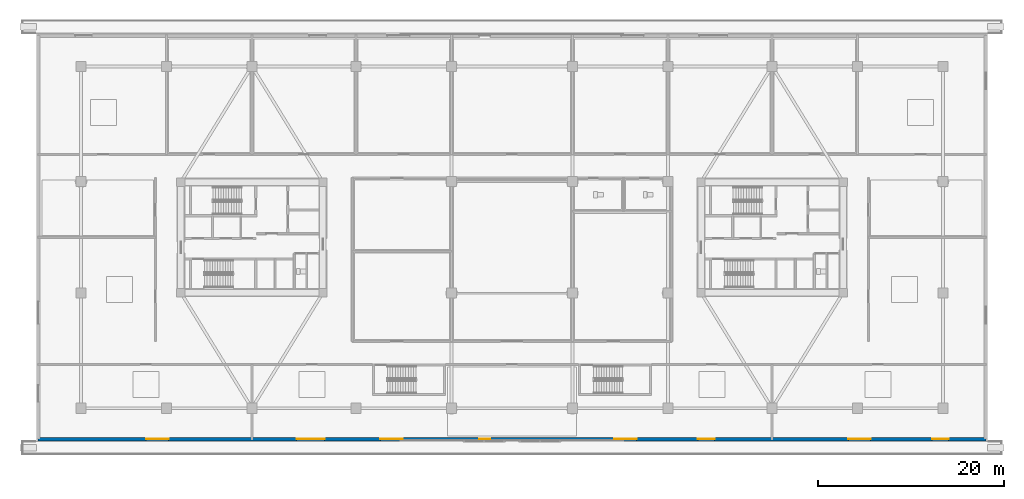
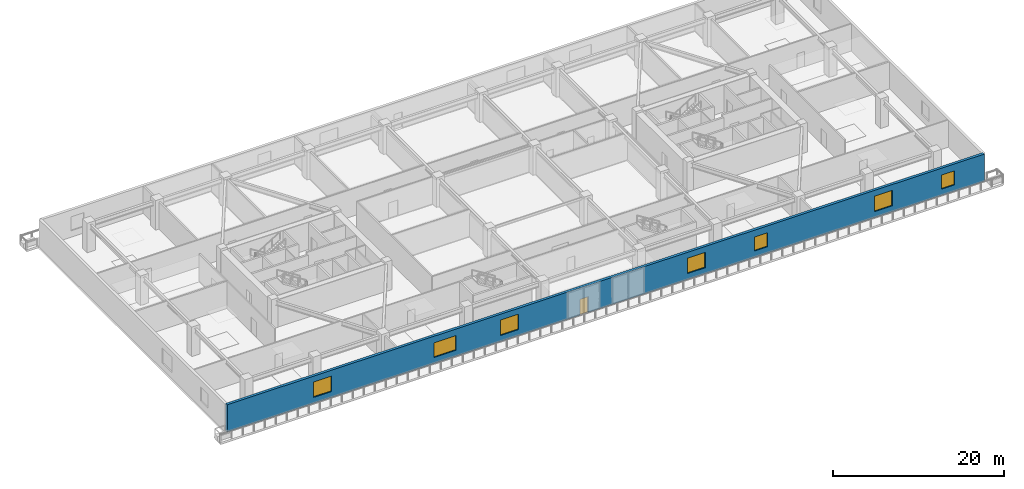
# One storey, part 6 of 23: 7 windows, 1 door, 1 wall, 8 openings.
"""IFC4 building model written with IfcOpenShell, lengths in metres."""

from ifc_helpers import new_model, si_unit, direction, frame, frame_2d, origin, place, context, subcontext, project, spatial, rectangle, extrude, source, transform, mapped, material, layer, layer_set, type_object, type_shapes, element, fill, save


model = new_model("IFC4")

# Units and contexts
model_context = context("Model", 3, precision=1e-05, world=origin(), true_north=direction((0.0, 1.0)))
body_context = subcontext(model_context, "Body", "Model", "MODEL_VIEW")
ifc_project = project(units=[si_unit("LENGTHUNIT", "METRE"), si_unit("AREAUNIT", "SQUARE_METRE"), si_unit("VOLUMEUNIT", "CUBIC_METRE"), si_unit("PLANEANGLEUNIT", "RADIAN"), si_unit("MASSUNIT", "GRAM", prefix="KILO")], contexts=[model_context])

# Site, building, storey
site_placement = place(None, origin())
site = spatial("IfcSite", under=ifc_project, at=site_placement, CompositionType="ELEMENT")
building_placement = place(site_placement, origin())
building = spatial("IfcBuilding", under=site, at=building_placement, Name="Norrkilde Senior Care Towers", CompositionType="ELEMENT")
storey_placement = place(building_placement, frame((0.0, 0.0, 8.39990234375)))
storey = spatial("IfcBuildingStorey", under=building, at=storey_placement, Name="L02", CompositionType="ELEMENT", Elevation=8.39990234375)

# Wall, openings, windows, door
ifc_material_1 = material(Name="Precast concrete C45/55", Category="concrete")
ifc_layer = layer(ifc_material_1, 0.360107421875)
ifc_layer_set = layer_set([ifc_layer], Name="Precast concrete C45/55")
wall_type = type_object("IfcWallType", Name="Podium Facade Wall 360", PredefinedType="SOLIDWALL", material=ifc_layer_set)
shared_shape_1 = source(origin(), body_context, "Body", "SweptSolid", [
    extrude(rectangle(XDim=102.0400390625, YDim=0.360107421875, at=frame_2d((51.02001953125, 0.0))), origin(), (0.0, 0.0, 1.0), 3.880126953125),
])
type_shapes(wall_type, [shared_shape_1])
wall_placement = place(storey_placement, frame((51.02001953125, -21.719970703125, 0.0), z_axis=(0.0, 0.0, 1.0), x_axis=(-1.0, 0.0, 0.0)))
wall = element("IfcWall", 1, at=wall_placement, inside=storey, type_object=wall_type, Name="L02 Podium S Facade Wall", PredefinedType="SOLIDWALL", context=body_context, shape_type="MappedRepresentation", body=[
    mapped(shared_shape_1, transform((0.0, 0.0, 0.0), x_axis=(1.0, 0.0, 0.0), y_axis=(0.0, 1.0, 0.0), z_axis=(0.0, 0.0, 1.0), scale=1.0)),
])
opening_1_placement = place(wall_placement, frame((53.3701171875, 0.0, 0.0)))
opening_1 = element("IfcOpeningElement", 2, at=opening_1_placement, cuts=wall, Name="Opening D-09", PredefinedType="OPENING", context=body_context, shape_type="SweptSolid", body=[
    extrude(rectangle(XDim=1.14990234375, YDim=2.25, at=frame_2d((0.574951171875, 1.125))), frame((0.0, 0.18994140625, 0.0), z_axis=(0.0, -1.0, 0.0), x_axis=(1.0, 0.0, 0.0)), (0.0, 0.0, 1.0), 0.380126953125),
])
opening_2_placement = place(wall_placement, frame((4.0, 0.0, 0.89990234375)))
opening_2 = element("IfcOpeningElement", 3, at=opening_2_placement, cuts=wall, Name="Opening WN-03", PredefinedType="OPENING", context=body_context, shape_type="SweptSolid", body=[
    extrude(rectangle(XDim=1.800048828125, YDim=2.0, at=frame_2d((0.89990234375, 1.0))), frame((0.0, 0.18994140625, 0.0), z_axis=(0.0, -1.0, 0.0), x_axis=(1.0, 0.0, 0.0)), (0.0, 0.0, 1.0), 0.380126953125),
])
opening_3_placement = place(wall_placement, frame((12.39990234375, 0.0, 0.85009765625)))
opening_3 = element("IfcOpeningElement", 4, at=opening_3_placement, cuts=wall, Name="Opening WN-01", PredefinedType="OPENING", context=body_context, shape_type="SweptSolid", body=[
    extrude(rectangle(XDim=2.39990234375, YDim=2.199951171875, at=frame_2d((1.199951171875, 1.10009765625))), frame((0.0, 0.18994140625, 0.0), z_axis=(0.0, -1.0, 0.0), x_axis=(1.0, 0.0, 0.0)), (0.0, 0.0, 1.0), 0.380126953125),
])
opening_4_placement = place(wall_placement, frame((29.199951171875, 0.0, 0.89990234375)))
opening_4 = element("IfcOpeningElement", 5, at=opening_4_placement, cuts=wall, Name="Opening WN-03", PredefinedType="OPENING", context=body_context, shape_type="SweptSolid", body=[
    extrude(rectangle(XDim=1.800048828125, YDim=2.0, at=frame_2d((0.89990234375, 1.0))), frame((0.0, 0.18994140625, 0.0), z_axis=(0.0, -1.0, 0.0), x_axis=(1.0, 0.0, 0.0)), (0.0, 0.0, 1.0), 0.380126953125),
])
opening_5_placement = place(wall_placement, frame((37.60009765625, 0.0, 0.85009765625)))
opening_5 = element("IfcOpeningElement", 6, at=opening_5_placement, cuts=wall, Name="Opening WN-01", PredefinedType="OPENING", context=body_context, shape_type="SweptSolid", body=[
    extrude(rectangle(XDim=2.39990234375, YDim=2.199951171875, at=frame_2d((1.199951171875, 1.10009765625))), frame((0.0, 0.18994140625, 0.0), z_axis=(0.0, -1.0, 0.0), x_axis=(1.0, 0.0, 0.0)), (0.0, 0.0, 1.0), 0.380126953125),
])
opening_6_placement = place(wall_placement, frame((62.800048828125, 0.0, 0.85009765625)))
opening_6 = element("IfcOpeningElement", 7, at=opening_6_placement, cuts=wall, Name="Opening WN-01", PredefinedType="OPENING", context=body_context, shape_type="SweptSolid", body=[
    extrude(rectangle(XDim=2.39990234375, YDim=2.199951171875, at=frame_2d((1.199951171875, 1.10009765625))), frame((0.0, 0.18994140625, 0.0), z_axis=(0.0, -1.0, 0.0), x_axis=(1.0, 0.0, 0.0)), (0.0, 0.0, 1.0), 0.380126953125),
])
opening_7_placement = place(wall_placement, frame((71.199951171875, 0.0, 0.85009765625)))
opening_7 = element("IfcOpeningElement", 8, at=opening_7_placement, cuts=wall, Name="Opening WN-02", PredefinedType="OPENING", context=body_context, shape_type="SweptSolid", body=[
    extrude(rectangle(XDim=3.0, YDim=2.10009765625, at=frame_2d((1.5, 1.050048828125))), frame((0.0, 0.18994140625, 0.0), z_axis=(0.0, -1.0, 0.0), x_axis=(1.0, 0.0, 0.0)), (0.0, 0.0, 1.0), 0.380126953125),
])
opening_8_placement = place(wall_placement, frame((88.0, 0.0, 0.85009765625)))
opening_8 = element("IfcOpeningElement", 9, at=opening_8_placement, cuts=wall, Name="Opening WN-01", PredefinedType="OPENING", context=body_context, shape_type="SweptSolid", body=[
    extrude(rectangle(XDim=2.39990234375, YDim=2.199951171875, at=frame_2d((1.199951171875, 1.10009765625))), frame((0.0, 0.18994140625, 0.0), z_axis=(0.0, -1.0, 0.0), x_axis=(1.0, 0.0, 0.0)), (0.0, 0.0, 1.0), 0.380126953125),
])
ifc_material_2 = material(Name="Triple Low-E Insulated Glazing", Category="glass")
window_type_1 = type_object("IfcWindowType", Name="Podium Clinic Triple Window 2400x2200", PartitioningType="SINGLE_PANEL", PredefinedType="WINDOW", material=ifc_material_2)
shared_shape_2 = source(origin(), body_context, "Body", "SweptSolid", [
    extrude(rectangle(XDim=2.39990234375, YDim=2.199951171875, at=frame_2d((1.199951171875, 1.10009765625))), frame((0.0, 0.030029296875, 0.0), z_axis=(0.0, -1.0, 0.0), x_axis=(1.0, 0.0, 0.0)), (0.0, 0.0, 1.0), 0.06005859375),
])
type_shapes(window_type_1, [shared_shape_2])
window_1_placement = place(opening_3_placement, origin())
window_1 = element("IfcWindow", 10, at=window_1_placement, inside=storey, type_object=window_type_1, Name="L02 S Window 02", OverallHeight=2.199951171875, OverallWidth=2.39990234375, PartitioningType="SINGLE_PANEL", PredefinedType="WINDOW", context=body_context, shape_type="MappedRepresentation", body=[
    mapped(shared_shape_2, transform((0.0, 0.0, 0.0), x_axis=(1.0, 0.0, 0.0), y_axis=(0.0, 1.0, 0.0), z_axis=(0.0, 0.0, 1.0), scale=1.0)),
])
fill(opening_3, window_1)
window_2_placement = place(opening_5_placement, origin())
window_2 = element("IfcWindow", 11, at=window_2_placement, inside=storey, type_object=window_type_1, Name="L02 S Window 05", OverallHeight=2.199951171875, OverallWidth=2.39990234375, PartitioningType="SINGLE_PANEL", PredefinedType="WINDOW", context=body_context, shape_type="MappedRepresentation", body=[
    mapped(shared_shape_2, transform((0.0, 0.0, 0.0), x_axis=(1.0, 0.0, 0.0), y_axis=(0.0, 1.0, 0.0), z_axis=(0.0, 0.0, 1.0), scale=1.0)),
])
fill(opening_5, window_2)
window_3_placement = place(opening_6_placement, origin())
window_3 = element("IfcWindow", 12, at=window_3_placement, inside=storey, type_object=window_type_1, Name="L02 S Window 08", OverallHeight=2.199951171875, OverallWidth=2.39990234375, PartitioningType="SINGLE_PANEL", PredefinedType="WINDOW", context=body_context, shape_type="MappedRepresentation", body=[
    mapped(shared_shape_2, transform((0.0, 0.0, 0.0), x_axis=(1.0, 0.0, 0.0), y_axis=(0.0, 1.0, 0.0), z_axis=(0.0, 0.0, 1.0), scale=1.0)),
])
fill(opening_6, window_3)
window_4_placement = place(opening_8_placement, origin())
window_4 = element("IfcWindow", 13, at=window_4_placement, inside=storey, type_object=window_type_1, Name="L02 S Window 11", OverallHeight=2.199951171875, OverallWidth=2.39990234375, PartitioningType="SINGLE_PANEL", PredefinedType="WINDOW", context=body_context, shape_type="MappedRepresentation", body=[
    mapped(shared_shape_2, transform((0.0, 0.0, 0.0), x_axis=(1.0, 0.0, 0.0), y_axis=(0.0, 1.0, 0.0), z_axis=(0.0, 0.0, 1.0), scale=1.0)),
])
fill(opening_8, window_4)
window_type_2 = type_object("IfcWindowType", Name="Podium Rehab Ribbon Window 3000x2100", PartitioningType="SINGLE_PANEL", PredefinedType="WINDOW", material=ifc_material_2)
shared_shape_3 = source(origin(), body_context, "Body", "SweptSolid", [
    extrude(rectangle(XDim=3.0, YDim=2.10009765625, at=frame_2d((1.5, 1.050048828125))), frame((0.0, 0.030029296875, 0.0), z_axis=(0.0, -1.0, 0.0), x_axis=(1.0, 0.0, 0.0)), (0.0, 0.0, 1.0), 0.06005859375),
])
type_shapes(window_type_2, [shared_shape_3])
window_5_placement = place(opening_7_placement, origin())
window_5 = element("IfcWindow", 14, at=window_5_placement, inside=storey, type_object=window_type_2, Name="L02 S Window 09", OverallHeight=2.10009765625, OverallWidth=3.0, PartitioningType="SINGLE_PANEL", PredefinedType="WINDOW", context=body_context, shape_type="MappedRepresentation", body=[
    mapped(shared_shape_3, transform((0.0, 0.0, 0.0), x_axis=(1.0, 0.0, 0.0), y_axis=(0.0, 1.0, 0.0), z_axis=(0.0, 0.0, 1.0), scale=1.0)),
])
fill(opening_7, window_5)
window_type_3 = type_object("IfcWindowType", Name="Podium Therapy Garden Window 1800x2000", PartitioningType="SINGLE_PANEL", PredefinedType="WINDOW", material=ifc_material_2)
shared_shape_4 = source(origin(), body_context, "Body", "SweptSolid", [
    extrude(rectangle(XDim=1.800048828125, YDim=2.0, at=frame_2d((0.89990234375, 1.0))), frame((0.0, 0.030029296875, 0.0), z_axis=(0.0, -1.0, 0.0), x_axis=(1.0, 0.0, 0.0)), (0.0, 0.0, 1.0), 0.06005859375),
])
type_shapes(window_type_3, [shared_shape_4])
window_6_placement = place(opening_2_placement, origin())
window_6 = element("IfcWindow", 15, at=window_6_placement, inside=storey, type_object=window_type_3, Name="L02 S Window 01", OverallHeight=2.0, OverallWidth=1.800048828125, PartitioningType="SINGLE_PANEL", PredefinedType="WINDOW", context=body_context, shape_type="MappedRepresentation", body=[
    mapped(shared_shape_4, transform((0.0, 0.0, 0.0), x_axis=(1.0, 0.0, 0.0), y_axis=(0.0, 1.0, 0.0), z_axis=(0.0, 0.0, 1.0), scale=1.0)),
])
fill(opening_2, window_6)
window_7_placement = place(opening_4_placement, origin())
window_7 = element("IfcWindow", 16, at=window_7_placement, inside=storey, type_object=window_type_3, Name="L02 S Window 04", OverallHeight=2.0, OverallWidth=1.800048828125, PartitioningType="SINGLE_PANEL", PredefinedType="WINDOW", context=body_context, shape_type="MappedRepresentation", body=[
    mapped(shared_shape_4, transform((0.0, 0.0, 0.0), x_axis=(1.0, 0.0, 0.0), y_axis=(0.0, 1.0, 0.0), z_axis=(0.0, 0.0, 1.0), scale=1.0)),
])
fill(opening_4, window_7)
ifc_material_3 = material(Name="Anodised Aluminium", Category="aluminium")
door_type = type_object("IfcDoorType", Name="Terrace and Balcony Glazed Door 1150x2250", OperationType="NOTDEFINED", PredefinedType="DOOR", material=ifc_material_3)
shared_shape_5 = source(origin(), body_context, "Body", "SweptSolid", [
    extrude(rectangle(XDim=1.14990234375, YDim=2.25, at=frame_2d((0.574951171875, 1.125))), frame((0.0, 0.02490234375, 0.0), z_axis=(0.0, -1.0, 0.0), x_axis=(1.0, 0.0, 0.0)), (0.0, 0.0, 1.0), 0.050048828125),
])
type_shapes(door_type, [shared_shape_5])
door_placement = place(opening_1_placement, origin())
door = element("IfcDoor", 17, at=door_placement, inside=storey, type_object=door_type, Name="L02 South Cascading Garden Terrace Door", OperationType="SINGLE_SWING_RIGHT", OverallHeight=2.25, OverallWidth=1.14990234375, PredefinedType="DOOR", context=body_context, shape_type="MappedRepresentation", body=[
    mapped(shared_shape_5, transform((0.0, 0.0, 0.0), x_axis=(1.0, 0.0, 0.0), y_axis=(0.0, 1.0, 0.0), z_axis=(0.0, 0.0, 1.0), scale=1.0)),
])
fill(opening_1, door)

save(model, "model.ifc")
